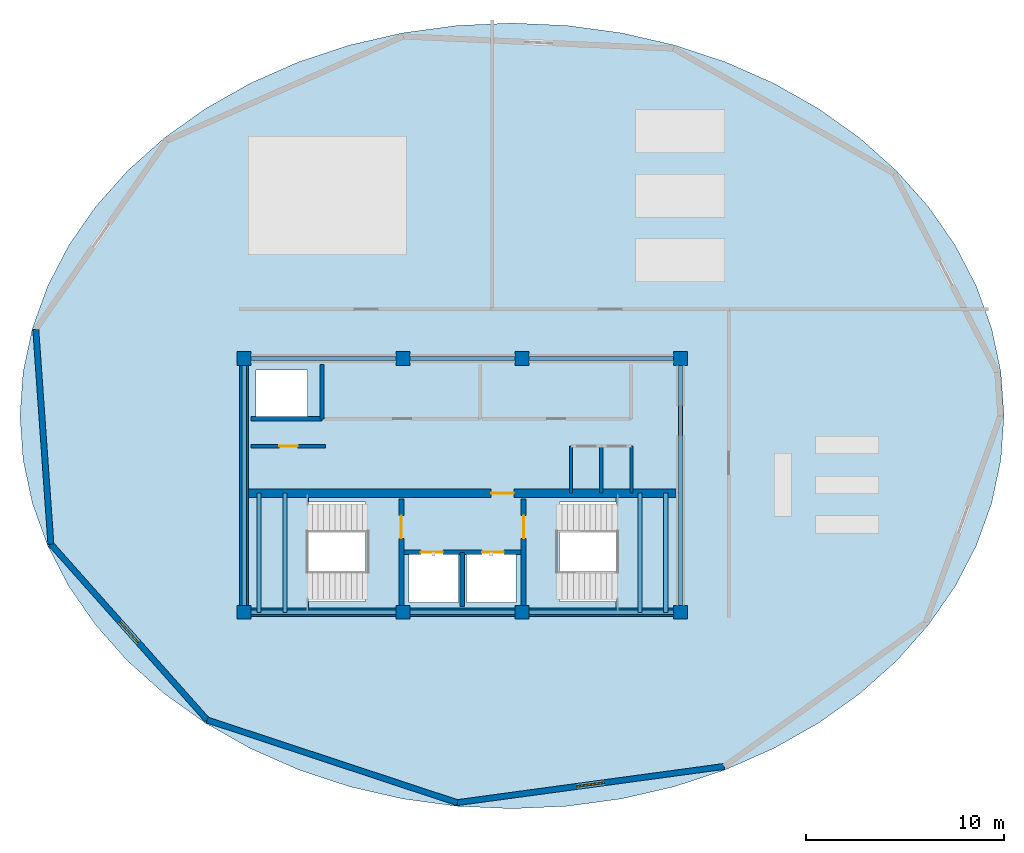
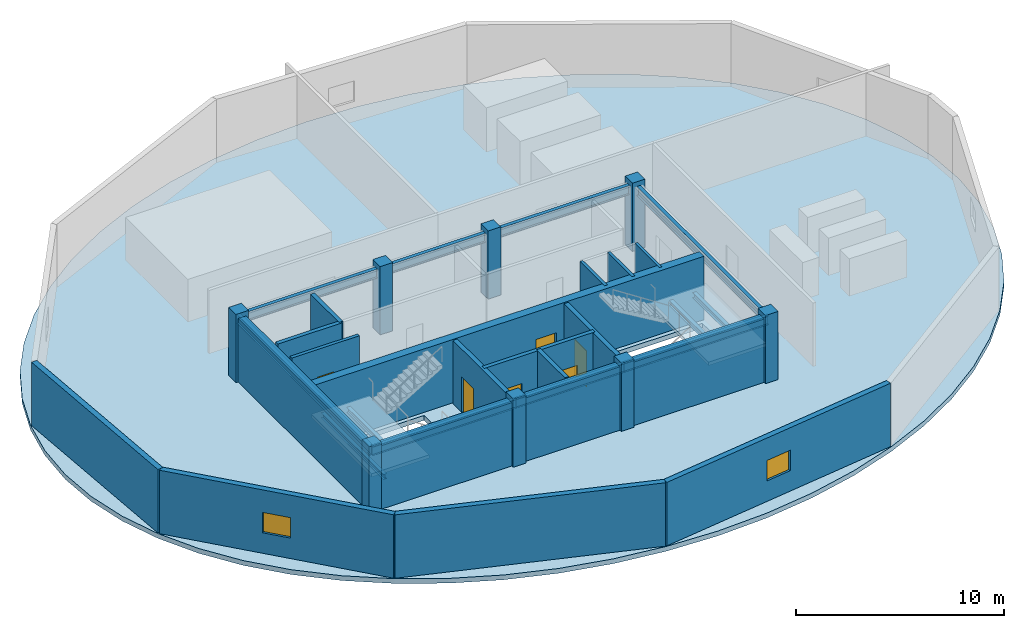
# One storey, part 1 of 5: 17 walls, 12 beams, 8 columns, 6 doors, 3 slabs, 2 windows, 8 openings, 2 elements without a shape of their own.
"""IFC4 building model written with IfcOpenShell, lengths in metres."""

from ifc_helpers import new_model, si_unit, direction, frame, frame_2d, origin, origin_2d, place, context, subcontext, project, spatial, polyline, rectangle, i_section, outline, extrude, material, layer, layer_set, material_profile, profile_set, type_object, element, fill, aggregate, save


model = new_model("IFC4")

# Units and contexts
model_context = context("Model", 3, precision=1e-05, world=origin(), true_north=direction((0.0, 1.0)))
body_context = subcontext(model_context, "Body", "Model", "MODEL_VIEW")
ifc_project = project(units=[si_unit("LENGTHUNIT", "METRE"), si_unit("AREAUNIT", "SQUARE_METRE"), si_unit("VOLUMEUNIT", "CUBIC_METRE"), si_unit("PLANEANGLEUNIT", "RADIAN"), si_unit("MASSUNIT", "GRAM", prefix="KILO")], contexts=[model_context])

# Site, building, storey
site_placement = place(None, origin())
site = spatial("IfcSite", under=ifc_project, at=site_placement, CompositionType="ELEMENT")
building_placement = place(site_placement, origin())
building = spatial("IfcBuilding", under=site, at=building_placement, Name="Kazevale Care Tower and Concert Hall", CompositionType="ELEMENT")
storey_placement = place(building_placement, frame((0.0, 0.0, 296.800048828125)))
storey = spatial("IfcBuildingStorey", under=building, at=storey_placement, Name="L78", CompositionType="ELEMENT", Elevation=296.800048828125)

# Columns
ifc_material_1 = material(Name="Concrete C50", Category="concrete")
ifc_material_profile_1 = material_profile(ifc_material_1, rectangle(XDim=0.699951171875, YDim=0.699951171875, at=origin_2d()), Name="RC-SQ700")
ifc_profile_set_1 = profile_set([ifc_material_profile_1], Name="Concrete C50")
column_type = type_object("IfcColumnType", Name="Core Column SQ700 C50", PredefinedType="COLUMN", material=ifc_profile_set_1)
for number, where, z_axis, x_axis, name in (
    (1, (22.0, 23.60009765625, 0.0), (0.0, 0.0, 1.0), (1.0, 0.0, 0.0), "col:L78:CC-01"),
    (2, (30.0, 23.60009765625, 0.0), (0.0, 0.0, 1.0), (1.0, 0.0, 0.0), "col:L78:CC-02"),
    (3, (36.0, 23.60009765625, 0.0), (0.0, 0.0, 1.0), (1.0, 0.0, 0.0), "col:L78:CC-03"),
    (4, (44.0, 23.60009765625, 0.0), (0.0, 0.0, 1.0), (1.0, 0.0, 0.0), "col:L78:CC-04"),
    (5, (44.0, 36.39990234375, 0.0), (0.0, 0.0, 1.0), (1.0, 0.0, 0.0), "col:L78:CC-05"),
    (6, (36.0, 36.39990234375, 0.0), (0.0, 0.0, 1.0), (1.0, 0.0, 0.0), "col:L78:CC-06"),
    (7, (30.0, 36.39990234375, 0.0), (0.0, 0.0, 1.0), (1.0, 0.0, 0.0), "col:L78:CC-07"),
    (8, (22.0, 36.39990234375, 0.0), (0.0, 0.0, 1.0), (1.0, 0.0, 0.0), "col:L78:CC-08"),
):
    element("IfcColumn", number, at=place(storey_placement, frame(where, z_axis=z_axis, x_axis=x_axis)), inside=storey, type_object=column_type, Name=name, PredefinedType="COLUMN", context=body_context, shape_type="SweptSolid", body=[
        extrude(rectangle(XDim=0.699951171875, YDim=0.699951171875, at=origin_2d()), origin(), (0.0, 0.0, 1.0), 4.0),
    ])

# Beams
ifc_material_2 = material(Name="Steel ASTM A572 Gr 50", Category="steel")
ifc_material_profile_2 = material_profile(ifc_material_2, i_section(OverallWidth=0.202880859375, OverallDepth=0.302978515625, WebThickness=0.007568359375, FlangeThickness=0.01318359375, at=origin_2d()), Name="W310x60")
ifc_profile_set_2 = profile_set([ifc_material_profile_2], Name="Steel ASTM A572 Gr 50")
beam_type_1 = type_object("IfcBeamType", Name="Stair & Balcony Trimmer W310x60", PredefinedType="BEAM", material=ifc_profile_set_2)
for number, where, z_axis, x_axis, name in (
    (9, (22.75, 23.60009765625, 1.6484375), (0.0, 1.0, 0.0), (-1.0, 0.0, 0.0), "beam:L78:sttrim:ST1"),
    (10, (24.050048828125, 23.60009765625, 1.6484375), (0.0, 1.0, 0.0), (-1.0, 0.0, 0.0), "beam:L78:sttrim:ST1b"),
    (11, (41.949951171875, 23.60009765625, 1.6484375), (0.0, 1.0, 0.0), (-1.0, 0.0, 0.0), "beam:L78:sttrim:ST2"),
    (12, (43.25, 23.60009765625, 1.6484375), (0.0, 1.0, 0.0), (-1.0, 0.0, 0.0), "beam:L78:sttrim:ST2b"),
):
    element("IfcBeam", number, at=place(storey_placement, frame(where, z_axis=z_axis, x_axis=x_axis)), inside=storey, type_object=beam_type_1, Name=name, PredefinedType="BEAM", context=body_context, shape_type="SweptSolid", body=[
        extrude(i_section(OverallWidth=0.202880859375, OverallDepth=0.302978515625, WebThickness=0.007568359375, FlangeThickness=0.01318359375, at=origin_2d()), origin(), (0.0, 0.0, 1.0), 6.0),
    ])
ifc_material_profile_3 = material_profile(ifc_material_2, i_section(OverallWidth=0.208984375, OverallDepth=0.532958984375, WebThickness=0.01025390625, FlangeThickness=0.015625, at=origin_2d()), Name="W530x92")
ifc_profile_set_3 = profile_set([ifc_material_profile_3], Name="Steel ASTM A572 Gr 50")
beam_type_2 = type_object("IfcBeamType", Name="Upper Ring Beam W530x92", PredefinedType="BEAM", material=ifc_profile_set_3)
beam_1_placement = place(storey_placement, frame((22.0, 23.60009765625, 3.453369140625), z_axis=(1.0, 0.0, 0.0), x_axis=(0.0, 1.0, 0.0)))
element("IfcBeam", 13, at=beam_1_placement, inside=storey, type_object=beam_type_2, Name="beam:L78:drum:1", PredefinedType="BEAM", context=body_context, shape_type="SweptSolid", body=[
    extrude(i_section(OverallWidth=0.208984375, OverallDepth=0.532958984375, WebThickness=0.01025390625, FlangeThickness=0.015625, at=origin_2d()), origin(), (0.0, 0.0, 1.0), 8.0),
])
beam_2_placement = place(storey_placement, frame((30.0, 23.60009765625, 3.453369140625), z_axis=(1.0, 0.0, 0.0), x_axis=(0.0, 1.0, 0.0)))
element("IfcBeam", 14, at=beam_2_placement, inside=storey, type_object=beam_type_2, Name="beam:L78:drum:2", PredefinedType="BEAM", context=body_context, shape_type="SweptSolid", body=[
    extrude(i_section(OverallWidth=0.208984375, OverallDepth=0.532958984375, WebThickness=0.01025390625, FlangeThickness=0.015625, at=origin_2d()), origin(), (0.0, 0.0, 1.0), 6.0),
])
beam_3_placement = place(storey_placement, frame((36.0, 23.60009765625, 3.453369140625), z_axis=(1.0, 0.0, 0.0), x_axis=(0.0, 1.0, 0.0)))
element("IfcBeam", 15, at=beam_3_placement, inside=storey, type_object=beam_type_2, Name="beam:L78:drum:3", PredefinedType="BEAM", context=body_context, shape_type="SweptSolid", body=[
    extrude(i_section(OverallWidth=0.208984375, OverallDepth=0.532958984375, WebThickness=0.01025390625, FlangeThickness=0.015625, at=origin_2d()), origin(), (0.0, 0.0, 1.0), 8.0),
])
beam_4_placement = place(storey_placement, frame((44.0, 23.60009765625, 3.453369140625), z_axis=(0.0, 1.0, 0.0), x_axis=(-1.0, 0.0, 0.0)))
element("IfcBeam", 16, at=beam_4_placement, inside=storey, type_object=beam_type_2, Name="beam:L78:drum:4", PredefinedType="BEAM", context=body_context, shape_type="SweptSolid", body=[
    extrude(i_section(OverallWidth=0.208984375, OverallDepth=0.532958984375, WebThickness=0.01025390625, FlangeThickness=0.015625, at=origin_2d()), origin(), (0.0, 0.0, 1.0), 12.7998046875),
])
beam_5_placement = place(storey_placement, frame((44.0, 36.39990234375, 3.453369140625), z_axis=(-1.0, 0.0, 0.0), x_axis=(0.0, -1.0, 0.0)))
element("IfcBeam", 17, at=beam_5_placement, inside=storey, type_object=beam_type_2, Name="beam:L78:drum:5", PredefinedType="BEAM", context=body_context, shape_type="SweptSolid", body=[
    extrude(i_section(OverallWidth=0.208984375, OverallDepth=0.532958984375, WebThickness=0.01025390625, FlangeThickness=0.015625, at=origin_2d()), origin(), (0.0, 0.0, 1.0), 8.0),
])
beam_6_placement = place(storey_placement, frame((36.0, 36.39990234375, 3.453369140625), z_axis=(-1.0, 0.0, 0.0), x_axis=(0.0, -1.0, 0.0)))
element("IfcBeam", 18, at=beam_6_placement, inside=storey, type_object=beam_type_2, Name="beam:L78:drum:6", PredefinedType="BEAM", context=body_context, shape_type="SweptSolid", body=[
    extrude(i_section(OverallWidth=0.208984375, OverallDepth=0.532958984375, WebThickness=0.01025390625, FlangeThickness=0.015625, at=origin_2d()), origin(), (0.0, 0.0, 1.0), 6.0),
])
beam_7_placement = place(storey_placement, frame((30.0, 36.39990234375, 3.453369140625), z_axis=(-1.0, 0.0, 0.0), x_axis=(0.0, -1.0, 0.0)))
element("IfcBeam", 19, at=beam_7_placement, inside=storey, type_object=beam_type_2, Name="beam:L78:drum:7", PredefinedType="BEAM", context=body_context, shape_type="SweptSolid", body=[
    extrude(i_section(OverallWidth=0.208984375, OverallDepth=0.532958984375, WebThickness=0.01025390625, FlangeThickness=0.015625, at=origin_2d()), origin(), (0.0, 0.0, 1.0), 8.0),
])
beam_8_placement = place(storey_placement, frame((22.0, 36.39990234375, 3.453369140625), z_axis=(0.0, -1.0, 0.0), x_axis=(1.0, 0.0, 0.0)))
element("IfcBeam", 20, at=beam_8_placement, inside=storey, type_object=beam_type_2, Name="beam:L78:drum:8", PredefinedType="BEAM", context=body_context, shape_type="SweptSolid", body=[
    extrude(i_section(OverallWidth=0.208984375, OverallDepth=0.532958984375, WebThickness=0.01025390625, FlangeThickness=0.015625, at=origin_2d()), origin(), (0.0, 0.0, 1.0), 12.7998046875),
])

# Slab
ifc_material_3 = material(Name="Concrete C40", Category="concrete")
ifc_layer_1 = layer(ifc_material_3, 0.280029296875)
ifc_layer_set_1 = layer_set([ifc_layer_1], Name="Concrete C40")
slab_type_1 = type_object("IfcSlabType", Name="Crown Plant Floor Slab 280", PredefinedType="FLOOR", material=ifc_layer_set_1)
slab_1_placement = place(storey_placement, frame((0.0, 0.0, -0.280029296875)))
element("IfcSlab", 21, at=slab_1_placement, inside=storey, type_object=slab_type_1, Name="slab:L78:tw:1", PredefinedType="FLOOR", context=body_context, shape_type="SweptSolid", body=[
    extrude(outline(polyline([(60.300048828125, 33.5), (60.14404296875, 35.716796875), (59.67822265625, 37.906005859375), (58.908203125, 40.03955078125), (57.843994140625, 42.0908203125), (56.498779296875, 44.0341796875), (54.889404296875, 45.84521484375), (53.0361328125, 47.500732421875), (50.96240234375, 48.980224609375), (48.6943359375, 50.26513671875), (46.26025390625, 51.339111328125), (43.69091796875, 52.18896484375), (41.0185546875, 52.8037109375), (38.276611328125, 53.175537109375), (35.5, 53.300048828125), (32.723388671875, 53.175537109375), (29.9814453125, 52.8037109375), (27.30908203125, 52.18896484375), (24.73974609375, 51.339111328125), (22.3056640625, 50.26513671875), (20.03759765625, 48.980224609375), (17.9638671875, 47.500732421875), (16.110595703125, 45.84521484375), (14.501220703125, 44.0341796875), (13.156005859375, 42.0908203125), (12.091796875, 40.03955078125), (11.32177734375, 37.906005859375), (10.85595703125, 35.716796875), (10.699951171875, 33.5), (10.85595703125, 31.283203125), (11.32177734375, 29.093994140625), (12.091796875, 26.96044921875), (13.156005859375, 24.9091796875), (14.501220703125, 22.9658203125), (16.110595703125, 21.15478515625), (17.9638671875, 19.499267578125), (20.03759765625, 18.019775390625), (22.3056640625, 16.73486328125), (24.73974609375, 15.660888671875), (27.30908203125, 14.81103515625), (29.9814453125, 14.1962890625), (32.723388671875, 13.824462890625), (35.5, 13.699951171875), (38.276611328125, 13.824462890625), (41.0185546875, 14.1962890625), (43.69091796875, 14.81103515625), (46.26025390625, 15.660888671875), (48.6943359375, 16.73486328125), (50.96240234375, 18.019775390625), (53.0361328125, 19.499267578125), (54.889404296875, 21.15478515625), (56.498779296875, 22.9658203125), (57.843994140625, 24.9091796875), (58.908203125, 26.96044921875), (59.67822265625, 29.093994140625), (60.14404296875, 31.283203125), (60.300048828125, 33.5)]), holes=[polyline([(22.449951171875, 24.14990234375), (28.110107421875, 24.14990234375), (28.110107421875, 29.14990234375), (22.449951171875, 29.14990234375), (22.449951171875, 24.14990234375)]), polyline([(37.889892578125, 24.14990234375), (43.550048828125, 24.14990234375), (43.550048828125, 29.14990234375), (37.889892578125, 29.14990234375), (37.889892578125, 24.14990234375)]), polyline([(30.300048828125, 24.10009765625), (32.800048828125, 24.10009765625), (32.800048828125, 26.60009765625), (30.300048828125, 26.60009765625), (30.300048828125, 24.10009765625)]), polyline([(33.199951171875, 24.10009765625), (35.699951171875, 24.10009765625), (35.699951171875, 26.60009765625), (33.199951171875, 26.60009765625), (33.199951171875, 24.10009765625)]), polyline([(22.60009765625, 33.39990234375), (25.199951171875, 33.39990234375), (25.199951171875, 35.800048828125), (22.60009765625, 35.800048828125), (22.60009765625, 33.39990234375)])]), origin(), (0.0, 0.0, 1.0), 0.280029296875),
])

# Stair, slab
stair_type = type_object("IfcStairType", Name="Exit Stair Assembly ST1-C", PredefinedType="HALF_TURN_STAIR", material=ifc_material_3)
stair_1_placement = place(storey_placement, origin())
stair_1 = element("IfcStair", 22, at=stair_1_placement, inside=storey, type_object=stair_type, Name="stair:L78:ST1", PredefinedType="HALF_TURN_STAIR")
ifc_layer_2 = layer(ifc_material_3, 0.199951171875)
ifc_layer_set_2 = layer_set([ifc_layer_2], Name="Concrete C40")
slab_type_2 = type_object("IfcSlabType", Name="Stair Half-Landing Slab ST1-C", PredefinedType="LANDING", material=ifc_layer_set_2)
slab_2_placement = place(storey_placement, frame((0.0, 0.0, 1.800048828125)))
slab_2 = element("IfcSlab", 23, at=slab_2_placement, type_object=slab_type_2, Name="ST1-C landing 1", PredefinedType="LANDING", context=body_context, shape_type="SweptSolid", body=[
    extrude(outline(polyline([(22.050048828125, 23.699951171875), (25.25, 23.699951171875), (25.25, 29.5), (22.050048828125, 29.5), (22.050048828125, 23.699951171875)])), origin(), (0.0, 0.0, 1.0), 0.199951171875),
])
aggregate(stair_1, [slab_2])

stair_2_placement = place(storey_placement, origin())
stair_2 = element("IfcStair", 24, at=stair_2_placement, inside=storey, type_object=stair_type, Name="stair:L78:ST2", PredefinedType="HALF_TURN_STAIR")
slab_3_placement = place(storey_placement, frame((0.0, 0.0, 1.800048828125)))
slab_3 = element("IfcSlab", 25, at=slab_3_placement, type_object=slab_type_2, Name="ST1-C landing 1", PredefinedType="LANDING", context=body_context, shape_type="SweptSolid", body=[
    extrude(outline(polyline([(40.75, 23.699951171875), (43.949951171875, 23.699951171875), (43.949951171875, 29.5), (40.75, 29.5), (40.75, 23.699951171875)])), origin(), (0.0, 0.0, 1.0), 0.199951171875),
])
aggregate(stair_2, [slab_3])

# Walls
ifc_material_4 = material(Name="Acoustic Gypsum on Steel Stud", Category="steel")
ifc_layer_3 = layer(ifc_material_4, 0.139892578125)
ifc_layer_set_3 = layer_set([ifc_layer_3], Name="Acoustic Gypsum on Steel Stud")
wall_type_1 = type_object("IfcWallType", Name="Acoustic Care & Suite Partition 140", PredefinedType="PARTITIONING", material=ifc_layer_set_3)
wall_1_placement = place(storey_placement, frame((41.52001953125, 29.6201171875, 0.0), z_axis=(0.0, 0.0, 1.0), x_axis=(0.0, 1.0, 0.0)))
element("IfcWall", 26, at=wall_1_placement, inside=storey, type_object=wall_type_1, Name="wall:L78:ka_ee", PredefinedType="PARTITIONING", context=body_context, shape_type="SweptSolid", body=[
    extrude(rectangle(XDim=2.35986328125, YDim=0.139892578125, at=frame_2d((1.179931640625, 0.0))), origin(), (0.0, 0.0, 1.0), 3.719970703125),
])
ifc_layer_4 = layer(ifc_material_1, 0.449951171875)
ifc_layer_set_4 = layer_set([ifc_layer_4], Name="Concrete C50")
wall_type_2 = type_object("IfcWallType", Name="Core Shear Wall 450 C50", PredefinedType="SHEAR", material=ifc_layer_set_4)
wall_2_placement = place(storey_placement, frame((21.77490234375, 23.60009765625, 0.0), z_axis=(0.0, 0.0, 1.0), x_axis=(1.0, 0.0, 0.0)))
element("IfcWall", 27, at=wall_2_placement, inside=storey, type_object=wall_type_2, Name="wall:L78:core:S", PredefinedType="SHEAR", context=body_context, shape_type="SweptSolid", body=[
    extrude(rectangle(XDim=22.4501953125, YDim=0.449951171875, at=frame_2d((11.22509765625, 0.0))), origin(), (0.0, 0.0, 1.0), 3.719970703125),
])
wall_3_placement = place(storey_placement, frame((22.0, 23.824951171875, 0.0), z_axis=(0.0, 0.0, 1.0), x_axis=(0.0, 1.0, 0.0)))
element("IfcWall", 28, at=wall_3_placement, inside=storey, type_object=wall_type_2, Name="wall:L78:core:W", PredefinedType="SHEAR", context=body_context, shape_type="SweptSolid", body=[
    extrude(rectangle(XDim=12.35009765625, YDim=0.449951171875, at=frame_2d((6.175048828125, 0.0))), origin(), (0.0, 0.0, 1.0), 3.719970703125),
])

# Wall, opening, door
wall_4_placement = place(storey_placement, frame((22.22509765625, 29.60009765625, 0.0), z_axis=(0.0, 0.0, 1.0), x_axis=(1.0, 0.0, 0.0)))
wall_4 = element("IfcWall", 29, at=wall_4_placement, inside=storey, type_object=wall_type_2, Name="wall:L78:core:M", PredefinedType="SHEAR", context=body_context, shape_type="SweptSolid", body=[
    extrude(rectangle(XDim=21.5498046875, YDim=0.449951171875, at=frame_2d((10.77490234375, 0.0))), origin(), (0.0, 0.0, 1.0), 3.719970703125),
])
opening_1_placement = place(wall_4_placement, frame((12.22509765625, 0.0, 0.0)))
opening_1 = element("IfcOpeningElement", 30, at=opening_1_placement, cuts=wall_4, Name="Opening FD-90", PredefinedType="OPENING", context=body_context, shape_type="SweptSolid", body=[
    extrude(rectangle(XDim=1.14990234375, YDim=2.10009765625, at=frame_2d((0.574951171875, 1.050048828125))), frame((0.0, 0.23486328125, 0.0), z_axis=(0.0, -1.0, 0.0), x_axis=(1.0, 0.0, 0.0)), (0.0, 0.0, 1.0), 0.469970703125),
])
door_type_1 = type_object("IfcDoorType", Name="Pressurized Stair & Lobby Fire Door 1150x2100", OperationType="NOTDEFINED", PredefinedType="DOOR", material=ifc_material_2)
door_1_placement = place(opening_1_placement, origin())
door_1 = element("IfcDoor", 31, at=door_1_placement, inside=storey, type_object=door_type_1, Name="door:L78:ff_to_pax", OperationType="SINGLE_SWING_LEFT", OverallHeight=2.10009765625, OverallWidth=1.14990234375, PredefinedType="DOOR", context=body_context, shape_type="SweptSolid", body=[
    extrude(rectangle(XDim=1.14990234375, YDim=2.10009765625, at=frame_2d((0.574951171875, 1.050048828125))), frame((0.0, 0.02490234375, 0.0), z_axis=(0.0, -1.0, 0.0), x_axis=(1.0, 0.0, 0.0)), (0.0, 0.0, 1.0), 0.050048828125),
])
fill(opening_1, door_1)

# Wall, opening, window
ifc_material_5 = material(Name="Concrete C40 with Honed Limestone Cladding", Category="masonry")
ifc_layer_5 = layer(ifc_material_5, 0.300048828125)
ifc_layer_set_5 = layer_set([ifc_layer_5], Name="Concrete C40 with Honed Limestone Cladding")
wall_type_3 = type_object("IfcWallType", Name="Crown Drum Louvred Stone Wall 300", PredefinedType="STANDARD", material=ifc_layer_set_5)
wall_5_placement = place(storey_placement, frame((46.196044921875, 15.8291015625, 0.0), z_axis=(0.0, 0.0, 1.0), x_axis=(-0.990927056791, -0.134400774248, 0.0)))
wall_5 = element("IfcWall", 32, at=wall_5_placement, inside=storey, type_object=wall_type_3, Name="wall:L78:drum:03", PredefinedType="STANDARD", context=body_context, shape_type="SweptSolid", body=[
    extrude(rectangle(XDim=13.580322265625, YDim=0.300048828125, at=frame_2d((6.7900390625, 0.0))), origin(), (0.0, 0.0, 1.0), 3.719970703125),
])
opening_2_placement = place(wall_5_placement, frame((6.090087890625, 0.0, 1.199951171875)))
opening_2 = element("IfcOpeningElement", 33, at=opening_2_placement, cuts=wall_5, Name="Opening WIN-4", PredefinedType="OPENING", context=body_context, shape_type="SweptSolid", body=[
    extrude(rectangle(XDim=1.39990234375, YDim=1.199951171875, at=frame_2d((0.699951171875, 0.60009765625))), frame((0.0, 0.159912109375, 0.0), z_axis=(0.0, -1.0, 0.0), x_axis=(1.0, 0.0, 0.0)), (0.0, 0.0, 1.0), 0.320068359375),
])
ifc_material_6 = material(Name="Aluminium 6063-T6", Category="aluminium")
window_type = type_object("IfcWindowType", Name="Crown Plant Louvred Window 1400x1200", PartitioningType="SINGLE_PANEL", PredefinedType="WINDOW", material=ifc_material_6)
window_1_placement = place(opening_2_placement, origin())
window_1 = element("IfcWindow", 34, at=window_1_placement, inside=storey, type_object=window_type, Name="win:L78:drum:03", OverallHeight=1.199951171875, OverallWidth=1.39990234375, PartitioningType="SINGLE_PANEL", PredefinedType="WINDOW", context=body_context, shape_type="SweptSolid", body=[
    extrude(rectangle(XDim=1.39990234375, YDim=1.199951171875, at=frame_2d((0.699951171875, 0.60009765625))), frame((0.0, 0.030029296875, 0.0), z_axis=(0.0, -1.0, 0.0), x_axis=(1.0, 0.0, 0.0)), (0.0, 0.0, 1.0), 0.06005859375),
])
fill(opening_2, window_1)

# Wall
wall_6_placement = place(storey_placement, frame((32.739013671875, 14.00390625, 0.0), z_axis=(0.0, 0.0, 1.0), x_axis=(-0.949436386168, 0.313959469709, 0.0)))
element("IfcWall", 35, at=wall_6_placement, inside=storey, type_object=wall_type_3, Name="wall:L78:drum:04", PredefinedType="STANDARD", context=body_context, shape_type="SweptSolid", body=[
    extrude(rectangle(XDim=13.2763671875, YDim=0.300048828125, at=frame_2d((6.63818359375, 0.0))), origin(), (0.0, 0.0, 1.0), 3.719970703125),
])

# Wall, opening, window
wall_7_placement = place(storey_placement, frame((20.134033203125, 18.172119140625, 0.0), z_axis=(0.0, 0.0, 1.0), x_axis=(-0.664394513906, 0.747382050822, 0.0)))
wall_7 = element("IfcWall", 36, at=wall_7_placement, inside=storey, type_object=wall_type_3, Name="wall:L78:drum:05", PredefinedType="STANDARD", context=body_context, shape_type="SweptSolid", body=[
    extrude(rectangle(XDim=11.85595703125, YDim=0.300048828125, at=frame_2d((5.927978515625, 0.0))), origin(), (0.0, 0.0, 1.0), 3.719970703125),
])
opening_3_placement = place(wall_7_placement, frame((5.22802734375, 0.0, 1.199951171875)))
opening_3 = element("IfcOpeningElement", 37, at=opening_3_placement, cuts=wall_7, Name="Opening WIN-4", PredefinedType="OPENING", context=body_context, shape_type="SweptSolid", body=[
    extrude(rectangle(XDim=1.39990234375, YDim=1.199951171875, at=frame_2d((0.699951171875, 0.60009765625))), frame((0.0, 0.159912109375, 0.0), z_axis=(0.0, -1.0, 0.0), x_axis=(1.0, 0.0, 0.0)), (0.0, 0.0, 1.0), 0.320068359375),
])
window_2_placement = place(opening_3_placement, origin())
window_2 = element("IfcWindow", 38, at=window_2_placement, inside=storey, type_object=window_type, Name="win:L78:drum:05", OverallHeight=1.199951171875, OverallWidth=1.39990234375, PartitioningType="SINGLE_PANEL", PredefinedType="WINDOW", context=body_context, shape_type="SweptSolid", body=[
    extrude(rectangle(XDim=1.39990234375, YDim=1.199951171875, at=frame_2d((0.699951171875, 0.60009765625))), frame((0.0, 0.030029296875, 0.0), z_axis=(0.0, -1.0, 0.0), x_axis=(1.0, 0.0, 0.0)), (0.0, 0.0, 1.0), 0.06005859375),
])
fill(opening_3, window_2)

# Wall
wall_8_placement = place(storey_placement, frame((12.257080078125, 27.032958984375, 0.0), z_axis=(0.0, 0.0, 1.0), x_axis=(-0.070228374331, 0.99753093959, 0.0)))
element("IfcWall", 39, at=wall_8_placement, inside=storey, type_object=wall_type_3, Name="wall:L78:drum:06", PredefinedType="STANDARD", context=body_context, shape_type="SweptSolid", body=[
    extrude(rectangle(XDim=10.849853515625, YDim=0.300048828125, at=frame_2d((5.4248046875, 0.0))), origin(), (0.0, 0.0, 1.0), 3.719970703125),
])

# Wall, openings, doors
ifc_layer_6 = layer(ifc_material_3, 0.219970703125)
ifc_layer_set_6 = layer_set([ifc_layer_6], Name="Concrete C40")
wall_type_4 = type_object("IfcWallType", Name="Elevator Hoistway Shaft Wall 220", PredefinedType="SOLIDWALL", material=ifc_layer_set_6)
wall_9_placement = place(storey_placement, frame((29.919921875, 26.6201171875, 0.0), z_axis=(0.0, 0.0, 1.0), x_axis=(1.0, 0.0, 0.0)))
wall_9 = element("IfcWall", 40, at=wall_9_placement, inside=storey, type_object=wall_type_4, Name="wall:L78:c_ffl_n", PredefinedType="SOLIDWALL", context=body_context, shape_type="SweptSolid", body=[
    extrude(rectangle(XDim=6.16015625, YDim=0.219970703125, at=frame_2d((3.080078125, 0.0))), origin(), (0.0, 0.0, 1.0), 3.719970703125),
])
opening_4_placement = place(wall_9_placement, frame((0.989990234375, 0.0, 0.0)))
opening_4 = element("IfcOpeningElement", 41, at=opening_4_placement, cuts=wall_9, Name="Opening LD-FF", PredefinedType="OPENING", context=body_context, shape_type="SweptSolid", body=[
    extrude(rectangle(XDim=1.10009765625, YDim=2.10009765625, at=frame_2d((0.550048828125, 1.050048828125))), frame((0.0, 0.119873046875, 0.0), z_axis=(0.0, -1.0, 0.0), x_axis=(1.0, 0.0, 0.0)), (0.0, 0.0, 1.0), 0.239990234375),
])
opening_5_placement = place(wall_9_placement, frame((4.070068359375, 0.0, 0.0)))
opening_5 = element("IfcOpeningElement", 42, at=opening_5_placement, cuts=wall_9, Name="Opening LD-FF", PredefinedType="OPENING", context=body_context, shape_type="SweptSolid", body=[
    extrude(rectangle(XDim=1.10009765625, YDim=2.10009765625, at=frame_2d((0.550048828125, 1.050048828125))), frame((0.0, 0.119873046875, 0.0), z_axis=(0.0, -1.0, 0.0), x_axis=(1.0, 0.0, 0.0)), (0.0, 0.0, 1.0), 0.239990234375),
])
ifc_material_7 = material(Name="Stainless Steel 316", Category="steel")
door_type_2 = type_object("IfcDoorType", Name="Emergency Lift Sliding Landing Door 1100x2100", OperationType="NOTDEFINED", PredefinedType="DOOR", material=ifc_material_7)
door_2_placement = place(opening_4_placement, origin())
door_2 = element("IfcDoor", 43, at=door_2_placement, inside=storey, type_object=door_type_2, Name="door:L78:ld_ffl1", OperationType="SLIDING_TO_LEFT", OverallHeight=2.10009765625, OverallWidth=1.10009765625, PredefinedType="DOOR", context=body_context, shape_type="SweptSolid", body=[
    extrude(rectangle(XDim=1.10009765625, YDim=2.10009765625, at=frame_2d((0.550048828125, 1.050048828125))), frame((0.0, 0.02490234375, 0.0), z_axis=(0.0, -1.0, 0.0), x_axis=(1.0, 0.0, 0.0)), (0.0, 0.0, 1.0), 0.050048828125),
])
fill(opening_4, door_2)
door_3_placement = place(opening_5_placement, origin())
door_3 = element("IfcDoor", 44, at=door_3_placement, inside=storey, type_object=door_type_2, Name="door:L78:ld_ffl2", OperationType="SLIDING_TO_RIGHT", OverallHeight=2.10009765625, OverallWidth=1.10009765625, PredefinedType="DOOR", context=body_context, shape_type="SweptSolid", body=[
    extrude(rectangle(XDim=1.10009765625, YDim=2.10009765625, at=frame_2d((0.550048828125, 1.050048828125))), frame((0.0, 0.02490234375, 0.0), z_axis=(0.0, -1.0, 0.0), x_axis=(1.0, 0.0, 0.0)), (0.0, 0.0, 1.0), 0.050048828125),
])
fill(opening_5, door_3)

# Walls
wall_10_placement = place(storey_placement, frame((33.0, 23.89990234375, 0.0), z_axis=(0.0, 0.0, 1.0), x_axis=(0.0, 1.0, 0.0)))
element("IfcWall", 45, at=wall_10_placement, inside=storey, type_object=wall_type_4, Name="wall:L78:c_ffl_m", PredefinedType="SOLIDWALL", context=body_context, shape_type="SweptSolid", body=[
    extrude(rectangle(XDim=2.72021484375, YDim=0.219970703125, at=frame_2d((1.360107421875, 0.0))), origin(), (0.0, 0.0, 1.0), 3.719970703125),
])
wall_11_placement = place(storey_placement, frame((25.919921875, 33.35009765625, 0.0), z_axis=(0.0, 0.0, 1.0), x_axis=(0.0, 1.0, 0.0)))
element("IfcWall", 46, at=wall_11_placement, inside=storey, type_object=wall_type_4, Name="wall:L78:c_svl_e", PredefinedType="SOLIDWALL", context=body_context, shape_type="SweptSolid", body=[
    extrude(rectangle(XDim=2.72998046875, YDim=0.219970703125, at=frame_2d((1.364990234375, 0.0))), origin(), (0.0, 0.0, 1.0), 3.719970703125),
])
wall_12_placement = place(storey_placement, frame((22.35009765625, 33.35009765625, 0.0), z_axis=(0.0, 0.0, 1.0), x_axis=(1.0, 0.0, 0.0)))
element("IfcWall", 47, at=wall_12_placement, inside=storey, type_object=wall_type_4, Name="wall:L78:c_svl_s", PredefinedType="SOLIDWALL", context=body_context, shape_type="SweptSolid", body=[
    extrude(rectangle(XDim=3.56982421875, YDim=0.219970703125, at=frame_2d((1.784912109375, 0.0))), origin(), (0.0, 0.0, 1.0), 3.719970703125),
])

# Wall, opening, door
ifc_material_8 = material(Name="Concrete C40 and Acoustic Gypsum", Category="concrete")
ifc_layer_7 = layer(ifc_material_8, 0.179931640625)
ifc_layer_set_7 = layer_set([ifc_layer_7], Name="Concrete C40 and Acoustic Gypsum")
wall_type_5 = type_object("IfcWallType", Name="Fire-Rated Corridor & Party Wall 180", PredefinedType="PARTITIONING", material=ifc_layer_set_7)
wall_13_placement = place(storey_placement, frame((22.35009765625, 31.97998046875, 0.0), z_axis=(0.0, 0.0, 1.0), x_axis=(1.0, 0.0, 0.0)))
wall_13 = element("IfcWall", 48, at=wall_13_placement, inside=storey, type_object=wall_type_5, Name="wall:L78:ka_wn1", PredefinedType="PARTITIONING", context=body_context, shape_type="SweptSolid", body=[
    extrude(rectangle(XDim=3.75, YDim=0.179931640625, at=frame_2d((1.875, 0.0))), origin(), (0.0, 0.0, 1.0), 3.719970703125),
])
opening_6_placement = place(wall_13_placement, frame((1.425048828125, 0.0, 0.0)))
opening_6 = element("IfcOpeningElement", 49, at=opening_6_placement, cuts=wall_13, Name="Opening ID-900", PredefinedType="OPENING", context=body_context, shape_type="SweptSolid", body=[
    extrude(rectangle(XDim=0.919921875, YDim=2.10009765625, at=frame_2d((0.4599609375, 1.050048828125))), frame((0.0, 0.099853515625, 0.0), z_axis=(0.0, -1.0, 0.0), x_axis=(1.0, 0.0, 0.0)), (0.0, 0.0, 1.0), 0.199951171875),
])
ifc_material_9 = material(Name="Oak Timber Fire Leaf", Category="wood")
door_type_3 = type_object("IfcDoorType", Name="Bathroom & Service Door 920x2100", OperationType="NOTDEFINED", PredefinedType="DOOR", material=ifc_material_9)
door_4_placement = place(opening_6_placement, origin())
door_4 = element("IfcDoor", 50, at=door_4_placement, inside=storey, type_object=door_type_3, Name="door:L78:d_kaw", OperationType="SINGLE_SWING_LEFT", OverallHeight=2.10009765625, OverallWidth=0.919921875, PredefinedType="DOOR", context=body_context, shape_type="SweptSolid", body=[
    extrude(rectangle(XDim=0.919921875, YDim=2.10009765625, at=frame_2d((0.4599609375, 1.050048828125))), frame((0.0, 0.02490234375, 0.0), z_axis=(0.0, -1.0, 0.0), x_axis=(1.0, 0.0, 0.0)), (0.0, 0.0, 1.0), 0.050048828125),
])
fill(opening_6, door_4)

# Walls
ifc_layer_8 = layer(ifc_material_4, 0.159912109375)
ifc_layer_set_8 = layer_set([ifc_layer_8], Name="Acoustic Gypsum on Steel Stud")
wall_type_6 = type_object("IfcWallType", Name="Moisture-Resistant Bathroom Plumbing Wall 160", PredefinedType="PLUMBINGWALL", material=ifc_layer_set_8)
for number, where, z_axis, x_axis, name in (
    (51, (38.47998046875, 29.6201171875, 0.0), (0.0, 0.0, 1.0), (0.0, 1.0, 0.0), "wall:L78:ka_ew"),
    (52, (40.0, 29.6201171875, 0.0), (0.0, 0.0, 1.0), (0.0, 1.0, 0.0), "wall:L78:ka_em"),
):
    element("IfcWall", number, at=place(storey_placement, frame(where, z_axis=z_axis, x_axis=x_axis)), inside=storey, type_object=wall_type_6, Name=name, PredefinedType="PLUMBINGWALL", context=body_context, shape_type="SweptSolid", body=[
        extrude(rectangle(XDim=2.35986328125, YDim=0.159912109375, at=frame_2d((1.179931640625, 0.0))), origin(), (0.0, 0.0, 1.0), 3.719970703125),
    ])

# Wall, opening, door
ifc_layer_9 = layer(ifc_material_3, 0.25)
ifc_layer_set_9 = layer_set([ifc_layer_9], Name="Concrete C40")
wall_type_7 = type_object("IfcWallType", Name="Pressurized Stair Shaft Wall 250", PredefinedType="SOLIDWALL", material=ifc_layer_set_9)
wall_14_placement = place(storey_placement, frame((29.919921875, 23.89990234375, 0.0), z_axis=(0.0, 0.0, 1.0), x_axis=(0.0, 1.0, 0.0)))
wall_14 = element("IfcWall", 53, at=wall_14_placement, inside=storey, type_object=wall_type_7, Name="wall:L78:c_st1_e", PredefinedType="SOLIDWALL", context=body_context, shape_type="SweptSolid", body=[
    extrude(rectangle(XDim=5.400146484375, YDim=0.25, at=frame_2d((2.7001953125, 0.0))), origin(), (0.0, 0.0, 1.0), 3.719970703125),
])
opening_7_placement = place(wall_14_placement, frame((3.4208984375, 0.0, 0.0)))
opening_7 = element("IfcOpeningElement", 54, at=opening_7_placement, cuts=wall_14, Name="Opening FD-90", PredefinedType="OPENING", context=body_context, shape_type="SweptSolid", body=[
    extrude(rectangle(XDim=1.14990234375, YDim=2.10009765625, at=frame_2d((0.574951171875, 1.050048828125))), frame((0.0, 0.135009765625, 0.0), z_axis=(0.0, -1.0, 0.0), x_axis=(1.0, 0.0, 0.0)), (0.0, 0.0, 1.0), 0.27001953125),
])
door_5_placement = place(opening_7_placement, origin())
door_5 = element("IfcDoor", 55, at=door_5_placement, inside=storey, type_object=door_type_1, Name="door:L78:st1", OperationType="SINGLE_SWING_RIGHT", OverallHeight=2.10009765625, OverallWidth=1.14990234375, PredefinedType="DOOR", context=body_context, shape_type="SweptSolid", body=[
    extrude(rectangle(XDim=1.14990234375, YDim=2.10009765625, at=frame_2d((0.574951171875, 1.050048828125))), frame((0.0, 0.02490234375, 0.0), z_axis=(0.0, -1.0, 0.0), x_axis=(1.0, 0.0, 0.0)), (0.0, 0.0, 1.0), 0.050048828125),
])
fill(opening_7, door_5)

wall_15_placement = place(storey_placement, frame((36.080078125, 23.89990234375, 0.0), z_axis=(0.0, 0.0, 1.0), x_axis=(0.0, 1.0, 0.0)))
wall_15 = element("IfcWall", 56, at=wall_15_placement, inside=storey, type_object=wall_type_7, Name="wall:L78:c_st2_w", PredefinedType="SOLIDWALL", context=body_context, shape_type="SweptSolid", body=[
    extrude(rectangle(XDim=5.400146484375, YDim=0.25, at=frame_2d((2.7001953125, 0.0))), origin(), (0.0, 0.0, 1.0), 3.719970703125),
])
opening_8_placement = place(wall_15_placement, frame((3.4208984375, 0.0, 0.0)))
opening_8 = element("IfcOpeningElement", 57, at=opening_8_placement, cuts=wall_15, Name="Opening FD-90", PredefinedType="OPENING", context=body_context, shape_type="SweptSolid", body=[
    extrude(rectangle(XDim=1.14990234375, YDim=2.10009765625, at=frame_2d((0.574951171875, 1.050048828125))), frame((0.0, 0.135009765625, 0.0), z_axis=(0.0, -1.0, 0.0), x_axis=(1.0, 0.0, 0.0)), (0.0, 0.0, 1.0), 0.27001953125),
])
door_6_placement = place(opening_8_placement, origin())
door_6 = element("IfcDoor", 58, at=door_6_placement, inside=storey, type_object=door_type_1, Name="door:L78:st2", OperationType="SINGLE_SWING_LEFT", OverallHeight=2.10009765625, OverallWidth=1.14990234375, PredefinedType="DOOR", context=body_context, shape_type="SweptSolid", body=[
    extrude(rectangle(XDim=1.14990234375, YDim=2.10009765625, at=frame_2d((0.574951171875, 1.050048828125))), frame((0.0, 0.02490234375, 0.0), z_axis=(0.0, -1.0, 0.0), x_axis=(1.0, 0.0, 0.0)), (0.0, 0.0, 1.0), 0.050048828125),
])
fill(opening_8, door_6)

save(model, "model.ifc")
